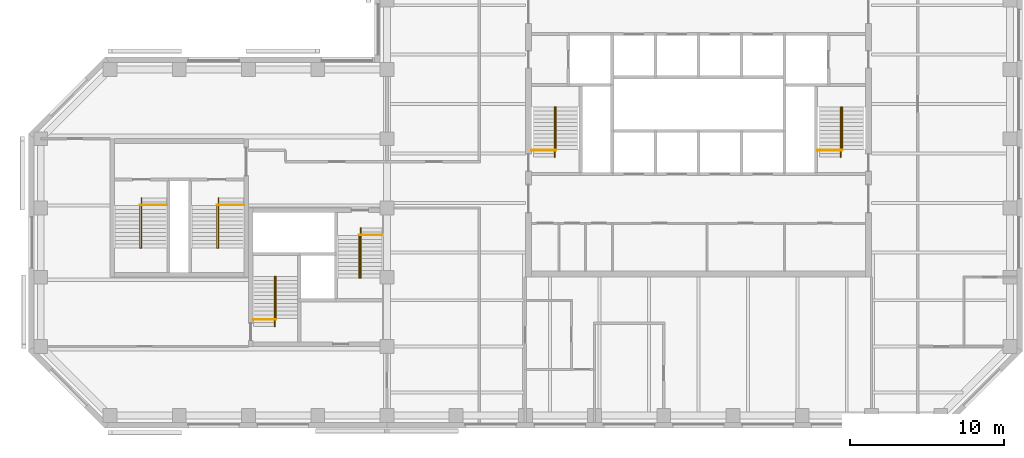
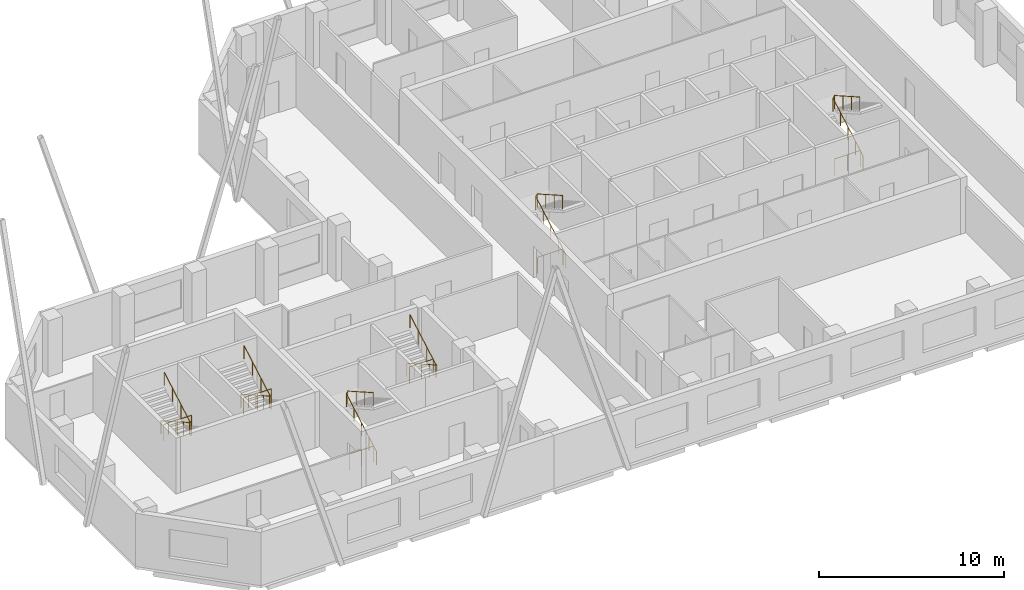
# One storey, part 9 of 9: 12 railings.
"""IFC4 building model written with IfcOpenShell, lengths in metres."""

from ifc_helpers import new_model, si_unit, direction, frame, origin, origin_2d, place, context, subcontext, project, spatial, circle, extrude, material, type_object, element, save


model = new_model("IFC4")

# Units and contexts
model_context = context("Model", 3, precision=1e-05, world=origin(), true_north=direction((0.0, 1.0)))
body_context = subcontext(model_context, "Body", "Model", "MODEL_VIEW")
ifc_project = project(units=[si_unit("LENGTHUNIT", "METRE"), si_unit("AREAUNIT", "SQUARE_METRE"), si_unit("VOLUMEUNIT", "CUBIC_METRE"), si_unit("PLANEANGLEUNIT", "RADIAN"), si_unit("MASSUNIT", "GRAM", prefix="KILO")], contexts=[model_context])

# Site, building, storey
site_placement = place(None, origin())
site = spatial("IfcSite", under=ifc_project, at=site_placement, CompositionType="ELEMENT")
building_placement = place(site_placement, origin())
building = spatial("IfcBuilding", under=site, at=building_placement, Name="Quoin Convention Tower", CompositionType="ELEMENT")
storey_placement = place(building_placement, frame((0.0, 0.0, 173.60009765625)))
storey = spatial("IfcBuildingStorey", under=building, at=storey_placement, Name="L45", CompositionType="ELEMENT", Elevation=173.60009765625)

# Railings
ifc_material = material(Name="Stainless steel", Category="steel")
railing_type_1 = type_object("IfcRailingType", Name="Stair handrail 900", PredefinedType="HANDRAIL", material=ifc_material)
railing_1_placement = place(storey_placement, frame((46.905029296875, 57.300048828125, 0.14208984375)))
element("IfcRailing", 1, at=railing_1_placement, inside=storey, type_object=railing_type_1, Name="SD1 handrail 1", PredefinedType="HANDRAIL", context=body_context, shape_type="SweptSolid", body=[
    extrude(circle(Radius=0.02392578125, at=origin_2d()), frame((0.0, 0.0, 0.8759765625), z_axis=(0.0, 0.869053504361, 0.494718108177), x_axis=(-1.0, 0.0, 0.0)), (0.0, 0.0, 1.0), 3.73974609375),
    extrude(circle(Radius=0.02392578125, at=origin_2d()), frame((0.0, 3.25, 2.72607421875), z_axis=(0.53481069233, 0.0, 0.844971906852), x_axis=(0.0, 1.0, 0.0)), (0.0, 0.0, 1.0), 0.16845703125),
    extrude(circle(Radius=0.02392578125, at=origin_2d()), frame((0.090087890625, 3.25, 2.8681640625), z_axis=(0.0, -0.869058607571, 0.494709143443), x_axis=(1.0, 0.0, 0.0)), (0.0, 0.0, 1.0), 3.164306640625),
    extrude(circle(Radius=0.02099609375, at=origin_2d()), origin(), (0.0, 0.0, 1.0), 0.851806640625),
    extrude(circle(Radius=0.02099609375, at=origin_2d()), frame((0.0, 0.8125, 0.46240234375)), (0.0, 0.0, 1.0), 0.851806640625),
    extrude(circle(Radius=0.02099609375, at=origin_2d()), frame((0.0, 1.625, 0.925048828125)), (0.0, 0.0, 1.0), 0.851806640625),
    extrude(circle(Radius=0.02099609375, at=origin_2d()), frame((0.0, 2.4375, 1.3876953125)), (0.0, 0.0, 1.0), 0.851806640625),
    extrude(circle(Radius=0.02099609375, at=origin_2d()), frame((0.0, 3.25, 1.85009765625)), (0.0, 0.0, 1.0), 0.851806640625),
    extrude(circle(Radius=0.02099609375, at=origin_2d()), frame((0.090087890625, 3.25, 1.992431640625)), (0.0, 0.0, 1.0), 0.851806640625),
    extrude(circle(Radius=0.02099609375, at=origin_2d()), frame((0.090087890625, 2.333251953125, 2.51416015625)), (0.0, 0.0, 1.0), 0.851806640625),
    extrude(circle(Radius=0.02099609375, at=origin_2d()), frame((0.090087890625, 1.416748046875, 3.0361328125)), (0.0, 0.0, 1.0), 0.851806640625),
    extrude(circle(Radius=0.02099609375, at=origin_2d()), frame((0.090087890625, 0.5, 3.557861328125)), (0.0, 0.0, 1.0), 0.851806640625),
])
railing_2_placement = place(storey_placement, frame((65.5048828125, 57.300048828125, 0.14208984375)))
element("IfcRailing", 2, at=railing_2_placement, inside=storey, type_object=railing_type_1, Name="SD2 handrail 1", PredefinedType="HANDRAIL", context=body_context, shape_type="SweptSolid", body=[
    extrude(circle(Radius=0.02392578125, at=origin_2d()), frame((0.0, 0.0, 0.8759765625), z_axis=(0.0, 0.869053504361, 0.494718108177), x_axis=(-1.0, 0.0, 0.0)), (0.0, 0.0, 1.0), 3.73974609375),
    extrude(circle(Radius=0.02392578125, at=origin_2d()), frame((0.0, 3.25, 2.72607421875), z_axis=(0.53481069233, 0.0, 0.844971906852), x_axis=(0.0, 1.0, 0.0)), (0.0, 0.0, 1.0), 0.16845703125),
    extrude(circle(Radius=0.02392578125, at=origin_2d()), frame((0.090087890625, 3.25, 2.8681640625), z_axis=(0.0, -0.869058607571, 0.494709143443), x_axis=(1.0, 0.0, 0.0)), (0.0, 0.0, 1.0), 3.164306640625),
    extrude(circle(Radius=0.02099609375, at=origin_2d()), origin(), (0.0, 0.0, 1.0), 0.851806640625),
    extrude(circle(Radius=0.02099609375, at=origin_2d()), frame((0.0, 0.8125, 0.46240234375)), (0.0, 0.0, 1.0), 0.851806640625),
    extrude(circle(Radius=0.02099609375, at=origin_2d()), frame((0.0, 1.625, 0.925048828125)), (0.0, 0.0, 1.0), 0.851806640625),
    extrude(circle(Radius=0.02099609375, at=origin_2d()), frame((0.0, 2.4375, 1.3876953125)), (0.0, 0.0, 1.0), 0.851806640625),
    extrude(circle(Radius=0.02099609375, at=origin_2d()), frame((0.0, 3.25, 1.85009765625)), (0.0, 0.0, 1.0), 0.851806640625),
    extrude(circle(Radius=0.02099609375, at=origin_2d()), frame((0.090087890625, 3.25, 1.992431640625)), (0.0, 0.0, 1.0), 0.851806640625),
    extrude(circle(Radius=0.02099609375, at=origin_2d()), frame((0.090087890625, 2.333251953125, 2.51416015625)), (0.0, 0.0, 1.0), 0.851806640625),
    extrude(circle(Radius=0.02099609375, at=origin_2d()), frame((0.090087890625, 1.416748046875, 3.0361328125)), (0.0, 0.0, 1.0), 0.851806640625),
    extrude(circle(Radius=0.02099609375, at=origin_2d()), frame((0.090087890625, 0.5, 3.557861328125)), (0.0, 0.0, 1.0), 0.851806640625),
])
railing_3_placement = place(storey_placement, frame((28.705078125, 46.300048828125, 0.14208984375)))
element("IfcRailing", 3, at=railing_3_placement, inside=storey, type_object=railing_type_1, Name="SD3 handrail 1", PredefinedType="HANDRAIL", context=body_context, shape_type="SweptSolid", body=[
    extrude(circle(Radius=0.02392578125, at=origin_2d()), frame((0.0, 0.0, 0.8759765625), z_axis=(0.0, 0.869053504361, 0.494718108177), x_axis=(-1.0, 0.0, 0.0)), (0.0, 0.0, 1.0), 3.73974609375),
    extrude(circle(Radius=0.02392578125, at=origin_2d()), frame((0.0, 3.25, 2.72607421875), z_axis=(0.533774684331, 0.0, 0.845626741753), x_axis=(0.0, 1.0, 0.0)), (0.0, 0.0, 1.0), 0.168212890625),
    extrude(circle(Radius=0.02392578125, at=origin_2d()), frame((0.08984375, 3.25, 2.8681640625), z_axis=(0.0, -0.869058607571, 0.494709143443), x_axis=(1.0, 0.0, 0.0)), (0.0, 0.0, 1.0), 3.164306640625),
    extrude(circle(Radius=0.02099609375, at=origin_2d()), origin(), (0.0, 0.0, 1.0), 0.851806640625),
    extrude(circle(Radius=0.02099609375, at=origin_2d()), frame((0.0, 0.8125, 0.46240234375)), (0.0, 0.0, 1.0), 0.851806640625),
    extrude(circle(Radius=0.02099609375, at=origin_2d()), frame((0.0, 1.625, 0.925048828125)), (0.0, 0.0, 1.0), 0.851806640625),
    extrude(circle(Radius=0.02099609375, at=origin_2d()), frame((0.0, 2.4375, 1.3876953125)), (0.0, 0.0, 1.0), 0.851806640625),
    extrude(circle(Radius=0.02099609375, at=origin_2d()), frame((0.0, 3.25, 1.85009765625)), (0.0, 0.0, 1.0), 0.851806640625),
    extrude(circle(Radius=0.02099609375, at=origin_2d()), frame((0.08984375, 3.25, 1.992431640625)), (0.0, 0.0, 1.0), 0.851806640625),
    extrude(circle(Radius=0.02099609375, at=origin_2d()), frame((0.08984375, 2.333251953125, 2.51416015625)), (0.0, 0.0, 1.0), 0.851806640625),
    extrude(circle(Radius=0.02099609375, at=origin_2d()), frame((0.08984375, 1.416748046875, 3.0361328125)), (0.0, 0.0, 1.0), 0.851806640625),
    extrude(circle(Radius=0.02099609375, at=origin_2d()), frame((0.08984375, 0.5, 3.557861328125)), (0.0, 0.0, 1.0), 0.851806640625),
])
railing_4_placement = place(storey_placement, frame((34.294921875, 52.699951171875, 0.14208984375)))
element("IfcRailing", 4, at=railing_4_placement, inside=storey, type_object=railing_type_1, Name="SD4 handrail 1", PredefinedType="HANDRAIL", context=body_context, shape_type="SweptSolid", body=[
    extrude(circle(Radius=0.02392578125, at=origin_2d()), frame((0.0, 0.0, 0.8759765625), z_axis=(0.0, -0.869053504361, 0.494718108177), x_axis=(1.0, 0.0, 0.0)), (0.0, 0.0, 1.0), 3.73974609375),
    extrude(circle(Radius=0.02392578125, at=origin_2d()), frame((0.0, -3.25, 2.72607421875), z_axis=(-0.533774684331, 0.0, 0.845626741753), x_axis=(0.0, -1.0, 0.0)), (0.0, 0.0, 1.0), 0.168212890625),
    extrude(circle(Radius=0.02392578125, at=origin_2d()), frame((-0.08984375, -3.25, 2.8681640625), z_axis=(0.0, 0.869058607571, 0.494709143443), x_axis=(-1.0, 0.0, 0.0)), (0.0, 0.0, 1.0), 3.164306640625),
    extrude(circle(Radius=0.02099609375, at=origin_2d()), origin(), (0.0, 0.0, 1.0), 0.851806640625),
    extrude(circle(Radius=0.02099609375, at=origin_2d()), frame((0.0, -0.8125, 0.46240234375)), (0.0, 0.0, 1.0), 0.851806640625),
    extrude(circle(Radius=0.02099609375, at=origin_2d()), frame((0.0, -1.625, 0.925048828125)), (0.0, 0.0, 1.0), 0.851806640625),
    extrude(circle(Radius=0.02099609375, at=origin_2d()), frame((0.0, -2.4375, 1.3876953125)), (0.0, 0.0, 1.0), 0.851806640625),
    extrude(circle(Radius=0.02099609375, at=origin_2d()), frame((0.0, -3.25, 1.85009765625)), (0.0, 0.0, 1.0), 0.851806640625),
    extrude(circle(Radius=0.02099609375, at=origin_2d()), frame((-0.08984375, -3.25, 1.992431640625)), (0.0, 0.0, 1.0), 0.851806640625),
    extrude(circle(Radius=0.02099609375, at=origin_2d()), frame((-0.08984375, -2.333251953125, 2.51416015625)), (0.0, 0.0, 1.0), 0.851806640625),
    extrude(circle(Radius=0.02099609375, at=origin_2d()), frame((-0.08984375, -1.416748046875, 3.0361328125)), (0.0, 0.0, 1.0), 0.851806640625),
    extrude(circle(Radius=0.02099609375, at=origin_2d()), frame((-0.08984375, -0.5, 3.557861328125)), (0.0, 0.0, 1.0), 0.851806640625),
])
railing_5_placement = place(storey_placement, frame((20.044921875, 54.64990234375, 0.14208984375)))
element("IfcRailing", 5, at=railing_5_placement, inside=storey, type_object=railing_type_1, Name="SD11 handrail 1", PredefinedType="HANDRAIL", context=body_context, shape_type="SweptSolid", body=[
    extrude(circle(Radius=0.02392578125, at=origin_2d()), frame((0.0, 0.0, 0.8759765625), z_axis=(0.0, -0.869053504361, 0.494718108177), x_axis=(1.0, 0.0, 0.0)), (0.0, 0.0, 1.0), 3.73974609375),
    extrude(circle(Radius=0.02392578125, at=origin_2d()), frame((0.0, -3.25, 2.72607421875), z_axis=(-0.533774684331, 0.0, 0.845626741753), x_axis=(0.0, -1.0, 0.0)), (0.0, 0.0, 1.0), 0.168212890625),
    extrude(circle(Radius=0.02392578125, at=origin_2d()), frame((-0.08984375, -3.25, 2.8681640625), z_axis=(0.0, 0.869058607571, 0.494709143443), x_axis=(-1.0, 0.0, 0.0)), (0.0, 0.0, 1.0), 3.164306640625),
    extrude(circle(Radius=0.02099609375, at=origin_2d()), origin(), (0.0, 0.0, 1.0), 0.851806640625),
    extrude(circle(Radius=0.02099609375, at=origin_2d()), frame((0.0, -0.8125, 0.46240234375)), (0.0, 0.0, 1.0), 0.851806640625),
    extrude(circle(Radius=0.02099609375, at=origin_2d()), frame((0.0, -1.625, 0.925048828125)), (0.0, 0.0, 1.0), 0.851806640625),
    extrude(circle(Radius=0.02099609375, at=origin_2d()), frame((0.0, -2.4375, 1.3876953125)), (0.0, 0.0, 1.0), 0.851806640625),
    extrude(circle(Radius=0.02099609375, at=origin_2d()), frame((0.0, -3.25, 1.85009765625)), (0.0, 0.0, 1.0), 0.851806640625),
    extrude(circle(Radius=0.02099609375, at=origin_2d()), frame((-0.08984375, -3.25, 1.992431640625)), (0.0, 0.0, 1.0), 0.851806640625),
    extrude(circle(Radius=0.02099609375, at=origin_2d()), frame((-0.08984375, -2.333251953125, 2.51416015625)), (0.0, 0.0, 1.0), 0.851806640625),
    extrude(circle(Radius=0.02099609375, at=origin_2d()), frame((-0.08984375, -1.416748046875, 3.0361328125)), (0.0, 0.0, 1.0), 0.851806640625),
    extrude(circle(Radius=0.02099609375, at=origin_2d()), frame((-0.08984375, -0.5, 3.557861328125)), (0.0, 0.0, 1.0), 0.851806640625),
])
railing_6_placement = place(storey_placement, frame((25.044921875, 54.64990234375, 0.14208984375)))
element("IfcRailing", 6, at=railing_6_placement, inside=storey, type_object=railing_type_1, Name="SD12 handrail 1", PredefinedType="HANDRAIL", context=body_context, shape_type="SweptSolid", body=[
    extrude(circle(Radius=0.02392578125, at=origin_2d()), frame((0.0, 0.0, 0.8759765625), z_axis=(0.0, -0.869053504361, 0.494718108177), x_axis=(1.0, 0.0, 0.0)), (0.0, 0.0, 1.0), 3.73974609375),
    extrude(circle(Radius=0.02392578125, at=origin_2d()), frame((0.0, -3.25, 2.72607421875), z_axis=(-0.533774684331, 0.0, 0.845626741753), x_axis=(0.0, -1.0, 0.0)), (0.0, 0.0, 1.0), 0.168212890625),
    extrude(circle(Radius=0.02392578125, at=origin_2d()), frame((-0.08984375, -3.25, 2.8681640625), z_axis=(0.0, 0.869058607571, 0.494709143443), x_axis=(-1.0, 0.0, 0.0)), (0.0, 0.0, 1.0), 3.164306640625),
    extrude(circle(Radius=0.02099609375, at=origin_2d()), origin(), (0.0, 0.0, 1.0), 0.851806640625),
    extrude(circle(Radius=0.02099609375, at=origin_2d()), frame((0.0, -0.8125, 0.46240234375)), (0.0, 0.0, 1.0), 0.851806640625),
    extrude(circle(Radius=0.02099609375, at=origin_2d()), frame((0.0, -1.625, 0.925048828125)), (0.0, 0.0, 1.0), 0.851806640625),
    extrude(circle(Radius=0.02099609375, at=origin_2d()), frame((0.0, -2.4375, 1.3876953125)), (0.0, 0.0, 1.0), 0.851806640625),
    extrude(circle(Radius=0.02099609375, at=origin_2d()), frame((0.0, -3.25, 1.85009765625)), (0.0, 0.0, 1.0), 0.851806640625),
    extrude(circle(Radius=0.02099609375, at=origin_2d()), frame((-0.08984375, -3.25, 1.992431640625)), (0.0, 0.0, 1.0), 0.851806640625),
    extrude(circle(Radius=0.02099609375, at=origin_2d()), frame((-0.08984375, -2.333251953125, 2.51416015625)), (0.0, 0.0, 1.0), 0.851806640625),
    extrude(circle(Radius=0.02099609375, at=origin_2d()), frame((-0.08984375, -1.416748046875, 3.0361328125)), (0.0, 0.0, 1.0), 0.851806640625),
    extrude(circle(Radius=0.02099609375, at=origin_2d()), frame((-0.08984375, -0.5, 3.557861328125)), (0.0, 0.0, 1.0), 0.851806640625),
])
railing_type_2 = type_object("IfcRailingType", Name="Stair top guard 1100", PredefinedType="GUARDRAIL", material=ifc_material)
railing_7_placement = place(storey_placement, frame((45.39990234375, 57.75, 0.0)))
element("IfcRailing", 7, at=railing_7_placement, inside=storey, type_object=railing_type_2, Name="SD1 top guard", PredefinedType="GUARDRAIL", context=body_context, shape_type="SweptSolid", body=[
    extrude(circle(Radius=0.02392578125, at=origin_2d()), frame((0.0, 0.0, 1.076171875), z_axis=(1.0, 0.0, 0.0), x_axis=(0.0, 1.0, 0.0)), (0.0, 0.0, 1.0), 1.59521484375),
    extrude(circle(Radius=0.02099609375, at=origin_2d()), origin(), (0.0, 0.0, 1.0), 1.052001953125),
    extrude(circle(Radius=0.02099609375, at=origin_2d()), frame((0.797607421875, 0.0, 0.0)), (0.0, 0.0, 1.0), 1.052001953125),
    extrude(circle(Radius=0.02099609375, at=origin_2d()), frame((1.59521484375, 0.0, 0.0)), (0.0, 0.0, 1.0), 1.052001953125),
])
railing_8_placement = place(storey_placement, frame((64.0, 57.75, 0.0)))
element("IfcRailing", 8, at=railing_8_placement, inside=storey, type_object=railing_type_2, Name="SD2 top guard", PredefinedType="GUARDRAIL", context=body_context, shape_type="SweptSolid", body=[
    extrude(circle(Radius=0.02392578125, at=origin_2d()), frame((0.0, 0.0, 1.076171875), z_axis=(1.0, 0.0, 0.0), x_axis=(0.0, 1.0, 0.0)), (0.0, 0.0, 1.0), 1.594970703125),
    extrude(circle(Radius=0.02099609375, at=origin_2d()), origin(), (0.0, 0.0, 1.0), 1.052001953125),
    extrude(circle(Radius=0.02099609375, at=origin_2d()), frame((0.79736328125, 0.0, 0.0)), (0.0, 0.0, 1.0), 1.052001953125),
    extrude(circle(Radius=0.02099609375, at=origin_2d()), frame((1.594970703125, 0.0, 0.0)), (0.0, 0.0, 1.0), 1.052001953125),
])
railing_9_placement = place(storey_placement, frame((27.300048828125, 46.75, 0.0)))
element("IfcRailing", 9, at=railing_9_placement, inside=storey, type_object=railing_type_2, Name="SD3 top guard", PredefinedType="GUARDRAIL", context=body_context, shape_type="SweptSolid", body=[
    extrude(circle(Radius=0.02392578125, at=origin_2d()), frame((0.0, 0.0, 1.076171875), z_axis=(1.0, 0.0, 0.0), x_axis=(0.0, 1.0, 0.0)), (0.0, 0.0, 1.0), 1.494873046875),
    extrude(circle(Radius=0.02099609375, at=origin_2d()), origin(), (0.0, 0.0, 1.0), 1.052001953125),
    extrude(circle(Radius=0.02099609375, at=origin_2d()), frame((0.74755859375, 0.0, 0.0)), (0.0, 0.0, 1.0), 1.052001953125),
    extrude(circle(Radius=0.02099609375, at=origin_2d()), frame((1.494873046875, 0.0, 0.0)), (0.0, 0.0, 1.0), 1.052001953125),
])
railing_10_placement = place(storey_placement, frame((35.699951171875, 52.25, 0.0)))
element("IfcRailing", 10, at=railing_10_placement, inside=storey, type_object=railing_type_2, Name="SD4 top guard", PredefinedType="GUARDRAIL", context=body_context, shape_type="SweptSolid", body=[
    extrude(circle(Radius=0.02392578125, at=origin_2d()), frame((0.0, 0.0, 1.076171875), z_axis=(-1.0, 0.0, 0.0), x_axis=(0.0, -1.0, 0.0)), (0.0, 0.0, 1.0), 1.494873046875),
    extrude(circle(Radius=0.02099609375, at=origin_2d()), origin(), (0.0, 0.0, 1.0), 1.052001953125),
    extrude(circle(Radius=0.02099609375, at=origin_2d()), frame((-0.74755859375, 0.0, 0.0)), (0.0, 0.0, 1.0), 1.052001953125),
    extrude(circle(Radius=0.02099609375, at=origin_2d()), frame((-1.494873046875, 0.0, 0.0)), (0.0, 0.0, 1.0), 1.052001953125),
])
for number, where, name in (
    (11, (21.699951171875, 54.199951171875, 0.0), "SD11 top guard"),
    (12, (26.699951171875, 54.199951171875, 0.0), "SD12 top guard"),
):
    element("IfcRailing", number, at=place(storey_placement, frame(where)), inside=storey, type_object=railing_type_2, Name=name, PredefinedType="GUARDRAIL", context=body_context, shape_type="SweptSolid", body=[
        extrude(circle(Radius=0.02392578125, at=origin_2d()), frame((0.0, 0.0, 1.076171875), z_axis=(-1.0, 0.0, 0.0), x_axis=(0.0, -1.0, 0.0)), (0.0, 0.0, 1.0), 1.744873046875),
        extrude(circle(Radius=0.02099609375, at=origin_2d()), origin(), (0.0, 0.0, 1.0), 1.052001953125),
        extrude(circle(Radius=0.02099609375, at=origin_2d()), frame((-0.87255859375, 0.0, 0.0)), (0.0, 0.0, 1.0), 1.052001953125),
        extrude(circle(Radius=0.02099609375, at=origin_2d()), frame((-1.744873046875, 0.0, 0.0)), (0.0, 0.0, 1.0), 1.052001953125),
    ])

save(model, "model.ifc")
